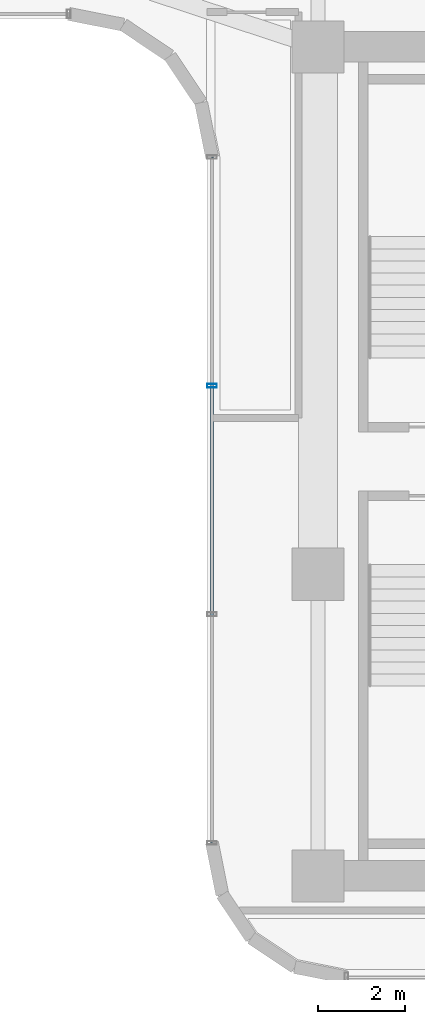
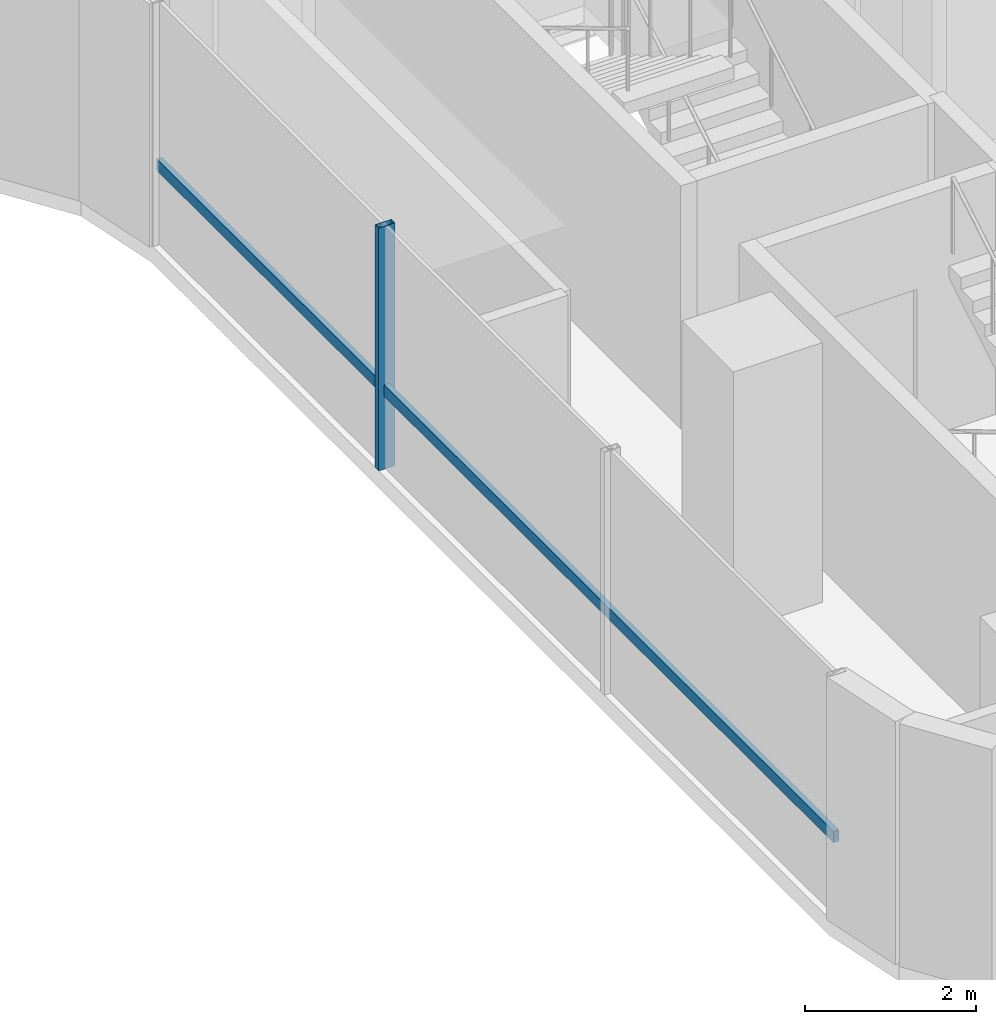
# One storey, part 14 of 35: 2 members, 1 element without a shape of its own.
"""IFC4 building model written with IfcOpenShell, lengths in metres."""

from ifc_helpers import new_model, si_unit, direction, frame, origin, origin_2d, place, context, subcontext, project, spatial, hollow_rectangle, extrude, source, transform, mapped, material, material_profile, profile_set, type_object, element, aggregate, save


model = new_model("IFC4")

# Units and contexts
model_context = context("Model", 3, precision=1e-05, world=origin(), true_north=direction((0.0, 1.0)))
body_context = subcontext(model_context, "Body", "Model", "MODEL_VIEW")
ifc_project = project(units=[si_unit("LENGTHUNIT", "METRE"), si_unit("AREAUNIT", "SQUARE_METRE"), si_unit("VOLUMEUNIT", "CUBIC_METRE"), si_unit("PLANEANGLEUNIT", "RADIAN"), si_unit("MASSUNIT", "GRAM", prefix="KILO")], contexts=[model_context])

# Site, building, storey
site_placement = place(None, origin())
site = spatial("IfcSite", under=ifc_project, at=site_placement, CompositionType="ELEMENT")
building_placement = place(site_placement, origin())
building = spatial("IfcBuilding", under=site, at=building_placement, Name="Valdorenza Pilgrim Sanctuary Tower", CompositionType="ELEMENT")
storey_placement = place(building_placement, frame((0.0, 0.0, 150.10009765625)))
storey = spatial("IfcBuildingStorey", under=building, at=storey_placement, Name="L38", CompositionType="ELEMENT", Elevation=150.10009765625)

# Curtain wall, members
ifc_material_1 = material(Name="Curtain-wall IGU glazing", Category="glass")
curtain_wall_type = type_object("IfcCurtainWallType", Name="CW-SYS-03", PredefinedType="NOTDEFINED", material=ifc_material_1)
curtain_wall_placement = place(storey_placement, origin())
curtain_wall = element("IfcCurtainWall", 1, at=curtain_wall_placement, inside=storey, type_object=curtain_wall_type, Name="L38 Curtain Wall CW-L38-1-31", PredefinedType="NOTDEFINED")
ifc_material_2 = material(Name="Anodised aluminium AW-6060", Category="aluminium")
ifc_material_profile_1 = material_profile(ifc_material_2, hollow_rectangle(XDim=0.0849609375, YDim=0.219970703125, WallThickness=0.0048828125, at=origin_2d()), Name="ALU-M 220x85x5")
ifc_profile_set_1 = profile_set([ifc_material_profile_1], Name="Anodised aluminium AW-6060")
member_type_1 = type_object("IfcMemberType", Name="CW-MUL-03", PredefinedType="MULLION", material=ifc_profile_set_1)
shared_shape_1 = source(origin(), body_context, "Body", "SweptSolid", [
    extrude(hollow_rectangle(XDim=0.0849609375, YDim=0.219970703125, WallThickness=0.0048828125, at=origin_2d()), origin(), (0.0, 0.0, 1.0), 3.4599609375),
])
member_1_placement = place(storey_placement, frame((13.409912109375, 1.744140625, 0.0), z_axis=(0.0, 0.0, 1.0), x_axis=(0.0, 1.0, 0.0)))
member_1 = element("IfcMember", 2, at=member_1_placement, type_object=member_type_1, Name="CW-L38-1-31 Mullion 3", PredefinedType="MULLION", context=body_context, shape_type="MappedRepresentation", body=[
    mapped(shared_shape_1, transform((0.0, 0.0, 0.0), x_axis=(1.0, 0.0, 0.0), y_axis=(0.0, 1.0, 0.0), z_axis=(0.0, 0.0, 1.0), scale=1.0)),
])
ifc_material_profile_2 = material_profile(ifc_material_2, hollow_rectangle(XDim=0.074951171875, YDim=0.159912109375, WallThickness=0.00390625, at=origin_2d()), Name="ALU-T 160x75x4")
ifc_profile_set_2 = profile_set([ifc_material_profile_2], Name="Anodised aluminium AW-6060")
member_type_2 = type_object("IfcMemberType", Name="CW-TRN-03", PredefinedType="USERDEFINED", material=ifc_profile_set_2)
shared_shape_2 = source(origin(), body_context, "Body", "SweptSolid", [
    extrude(hollow_rectangle(XDim=0.074951171875, YDim=0.159912109375, WallThickness=0.00390625, at=origin_2d()), origin(), (0.0, 0.0, 1.0), 15.800048828125),
])
member_2_placement = place(storey_placement, frame((13.409912109375, -8.789306640625, 1.119873046875), z_axis=(0.0, 1.0, 0.0), x_axis=(-1.0, 0.0, 0.0)))
member_2 = element("IfcMember", 3, at=member_2_placement, type_object=member_type_2, Name="CW-L38-1-31 Transom 1", ObjectType="TRANSOM", PredefinedType="USERDEFINED", context=body_context, shape_type="MappedRepresentation", body=[
    mapped(shared_shape_2, transform((0.0, 0.0, 0.0), x_axis=(1.0, 0.0, 0.0), y_axis=(0.0, 1.0, 0.0), z_axis=(0.0, 0.0, 1.0), scale=1.0)),
])
aggregate(curtain_wall, [member_1, member_2])

save(model, "model.ifc")
